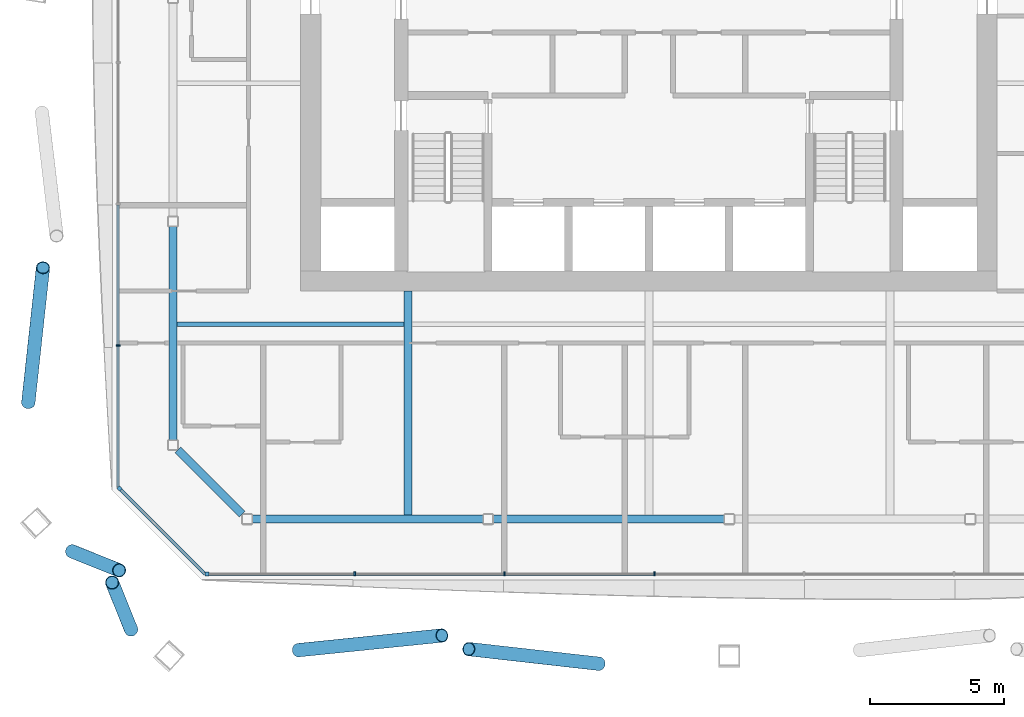
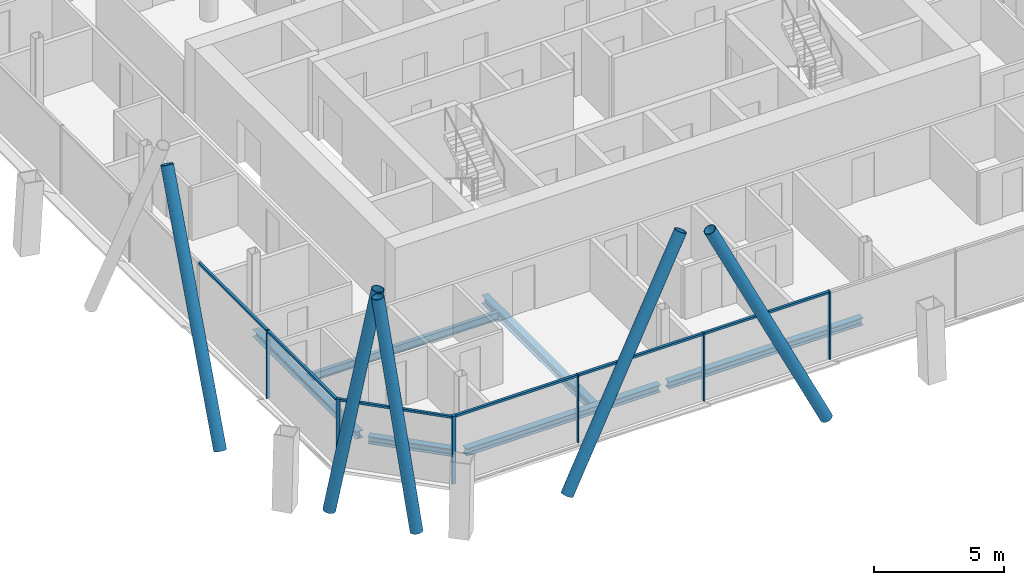
# One storey, part 3 of 23: 17 members, 6 beams, 3 elements without a shape of their own.
"""IFC4 building model written with IfcOpenShell, lengths in metres."""

from ifc_helpers import new_model, si_unit, direction, frame, origin, origin_2d, place, context, subcontext, project, spatial, rectangle, hollow_circle, i_section, extrude, material, material_profile, profile_set, type_object, element, aggregate, save


model = new_model("IFC4")

# Units and contexts
model_context = context("Model", 3, precision=1e-05, world=origin(), true_north=direction((0.0, 1.0)))
body_context = subcontext(model_context, "Body", "Model", "MODEL_VIEW")
ifc_project = project(units=[si_unit("LENGTHUNIT", "METRE"), si_unit("AREAUNIT", "SQUARE_METRE"), si_unit("VOLUMEUNIT", "CUBIC_METRE"), si_unit("PLANEANGLEUNIT", "RADIAN"), si_unit("MASSUNIT", "GRAM", prefix="KILO")], contexts=[model_context])

# Site, building, storey
site_placement = place(None, origin())
site = spatial("IfcSite", under=ifc_project, at=site_placement, CompositionType="ELEMENT")
building_placement = place(site_placement, origin())
building = spatial("IfcBuilding", under=site, at=building_placement, Name="Tskaro Facet Tower", CompositionType="ELEMENT")
storey_placement = place(building_placement, frame((0.0, 0.0, 131.699951171875)))
storey = spatial("IfcBuildingStorey", under=building, at=storey_placement, Name="L31", CompositionType="ELEMENT", Elevation=131.699951171875)

# Members
ifc_material_1 = material(Name="Steel S355J2H", Category="steel")
ifc_material_profile_1 = material_profile(ifc_material_1, hollow_circle(Radius=0.25390625, WallThickness=0.02490234375, at=origin_2d()), Name="CHS 508x25")
ifc_profile_set_1 = profile_set([ifc_material_profile_1], Name="Steel S355J2H")
member_type_1 = type_object("IfcMemberType", Name="CHS 508x25 brace", PredefinedType="BRACE", material=ifc_profile_set_1)
member_1_placement = place(storey_placement, frame((-13.088134765625, -25.665283203125, 0.0), z_axis=(0.464824097966, 0.047487606457, 0.884128658727), x_axis=(-0.101633524217, 0.994821907054, 0.0)))
element("IfcMember", 1, at=member_1_placement, inside=storey, type_object=member_type_1, Name="CHS 508x25 XB01A/3", PredefinedType="BRACE", context=body_context, shape_type="SweptSolid", body=[
    extrude(hollow_circle(Radius=0.25390625, WallThickness=0.02490234375, at=origin_2d()), origin(), (0.0, 0.0, 1.0), 11.53662109375),
])
member_2_placement = place(storey_placement, frame((-1.862548828125, -26.17333984375, 0.0), z_axis=(-0.42982031619, 0.048426810741, 0.901614851138), x_axis=(-0.111959207267, -0.993712803534, 0.0)))
element("IfcMember", 2, at=member_2_placement, inside=storey, type_object=member_type_1, Name="CHS 508x25 XB01B/3", PredefinedType="BRACE", context=body_context, shape_type="SweptSolid", body=[
    extrude(hollow_circle(Radius=0.25390625, WallThickness=0.02490234375, at=origin_2d()), origin(), (0.0, 0.0, 1.0), 11.31298828125),
])
member_3_placement = place(storey_placement, frame((-23.17333984375, -16.417236328125, 0.0), z_axis=(0.048109528617, 0.44203309315, 0.895707663145), x_axis=(-0.994129364585, 0.108197996611, 0.0)))
element("IfcMember", 3, at=member_3_placement, inside=storey, type_object=member_type_1, Name="CHS 508x25 XB11B/3", PredefinedType="BRACE", context=body_context, shape_type="SweptSolid", body=[
    extrude(hollow_circle(Radius=0.25390625, WallThickness=0.02490234375, at=origin_2d()), origin(), (0.0, 0.0, 1.0), 11.3876953125),
])
for number, where, z_axis, x_axis, name in (
    (4, (-21.533203125, -21.9775390625, 0.0), (0.169117800657, -0.068084859073, 0.983241385147), (0.373459657501, 0.927646421984, 0.0), "CHS 508x25 XB12A/3"),
    (5, (-19.3369140625, -24.892333984375, 0.0), (-0.068085130039, 0.169094939278, 0.983245298274), (-0.927628414184, -0.373504384444, 0.0), "CHS 508x25 XB12B/3"),
):
    element("IfcMember", number, at=place(storey_placement, frame(where, z_axis=z_axis, x_axis=x_axis)), inside=storey, type_object=member_type_1, Name=name, PredefinedType="BRACE", context=body_context, shape_type="SweptSolid", body=[
        extrude(hollow_circle(Radius=0.25390625, WallThickness=0.02490234375, at=origin_2d()), origin(), (0.0, 0.0, 1.0), 10.373779296875),
    ])

# Curtain wall, member
ifc_material_2 = material(Name="Bronze anodised aluminium 6063-T6", Category="aluminium")
curtain_wall_type = type_object("IfcCurtainWallType", Name="Bronze hotel curtain wall (FW2)", PredefinedType="NOTDEFINED", material=ifc_material_2)
curtain_wall_1_placement = place(storey_placement, origin())
curtain_wall_1 = element("IfcCurtainWall", 6, at=curtain_wall_1_placement, inside=storey, type_object=curtain_wall_type, Name="FW2 south facet L31", PredefinedType="NOTDEFINED")
ifc_material_profile_2 = material_profile(ifc_material_2, rectangle(XDim=0.14990234375, YDim=0.14990234375, at=origin_2d()), Name="Corner post 150x150")
ifc_profile_set_2 = profile_set([ifc_material_profile_2], Name="Bronze anodised aluminium 6063-T6")
member_type_2 = type_object("IfcMemberType", Name="FW2 bronze corner post 150x150", PredefinedType="MULLION", material=ifc_profile_set_2)
member_4_placement = place(storey_placement, frame((-16.4990234375, -22.820068359375, 0.0), z_axis=(0.0, 0.0, 1.0), x_axis=(1.0, 0.0, 0.0)))
member_4 = element("IfcMember", 7, at=member_4_placement, type_object=member_type_2, Name="FW2 south corner post", PredefinedType="MULLION", context=body_context, shape_type="SweptSolid", body=[
    extrude(rectangle(XDim=0.14990234375, YDim=0.14990234375, at=origin_2d()), origin(), (0.0, 0.0, 1.0), 3.199951171875),
])

curtain_wall_2_placement = place(storey_placement, origin())
curtain_wall_2 = element("IfcCurtainWall", 8, at=curtain_wall_2_placement, inside=storey, type_object=curtain_wall_type, Name="FW2 south-west facet L31", PredefinedType="NOTDEFINED")
member_5_placement = place(storey_placement, frame((-19.766845703125, -19.626953125, 0.0), z_axis=(0.0, 0.0, 1.0), x_axis=(0.707106781187, -0.707106781187, 0.0)))
member_5 = element("IfcMember", 9, at=member_5_placement, type_object=member_type_2, Name="FW2 south-west corner post", PredefinedType="MULLION", context=body_context, shape_type="SweptSolid", body=[
    extrude(rectangle(XDim=0.14990234375, YDim=0.14990234375, at=origin_2d()), origin(), (0.0, 0.0, 1.0), 3.199951171875),
])

# Member
ifc_material_profile_3 = material_profile(ifc_material_2, rectangle(XDim=0.06005859375, YDim=0.14990234375, at=origin_2d()), Name="Mullion 60x150")
ifc_profile_set_3 = profile_set([ifc_material_profile_3], Name="Bronze anodised aluminium 6063-T6")
member_type_3 = type_object("IfcMemberType", Name="FW2 bronze mullion 60x150", PredefinedType="MULLION", material=ifc_profile_set_3)
member_6_placement = place(storey_placement, frame((-10.9814453125, -22.820068359375, 0.0), z_axis=(0.0, 0.0, 1.0), x_axis=(1.0, 0.0, 0.0)))
member_6 = element("IfcMember", 10, at=member_6_placement, type_object=member_type_3, Name="FW2 south mullion 1", PredefinedType="MULLION", context=body_context, shape_type="SweptSolid", body=[
    extrude(rectangle(XDim=0.06005859375, YDim=0.14990234375, at=origin_2d()), origin(), (0.0, 0.0, 1.0), 3.199951171875),
])

member_7_placement = place(storey_placement, frame((-5.388916015625, -22.820068359375, 0.0), z_axis=(0.0, 0.0, 1.0), x_axis=(1.0, 0.0, 0.0)))
member_7 = element("IfcMember", 11, at=member_7_placement, type_object=member_type_3, Name="FW2 south mullion 2", PredefinedType="MULLION", context=body_context, shape_type="SweptSolid", body=[
    extrude(rectangle(XDim=0.06005859375, YDim=0.14990234375, at=origin_2d()), origin(), (0.0, 0.0, 1.0), 3.199951171875),
])

member_8_placement = place(storey_placement, frame((0.20361328125, -22.820068359375, 0.0), z_axis=(0.0, 0.0, 1.0), x_axis=(1.0, 0.0, 0.0)))
member_8 = element("IfcMember", 12, at=member_8_placement, type_object=member_type_3, Name="FW2 south mullion 3", PredefinedType="MULLION", context=body_context, shape_type="SweptSolid", body=[
    extrude(rectangle(XDim=0.06005859375, YDim=0.14990234375, at=origin_2d()), origin(), (0.0, 0.0, 1.0), 3.199951171875),
])

# Curtain wall, member
curtain_wall_3_placement = place(storey_placement, origin())
curtain_wall_3 = element("IfcCurtainWall", 13, at=curtain_wall_3_placement, inside=storey, type_object=curtain_wall_type, Name="FW2 west facet L31", PredefinedType="NOTDEFINED")
member_9_placement = place(storey_placement, frame((-19.820068359375, -14.288818359375, 0.0), z_axis=(0.0, 0.0, 1.0), x_axis=(0.0, -1.0, 0.0)))
member_9 = element("IfcMember", 14, at=member_9_placement, type_object=member_type_3, Name="FW2 west mullion 6", PredefinedType="MULLION", context=body_context, shape_type="SweptSolid", body=[
    extrude(rectangle(XDim=0.06005859375, YDim=0.14990234375, at=origin_2d()), origin(), (0.0, 0.0, 1.0), 3.199951171875),
])

# Member
ifc_material_profile_4 = material_profile(ifc_material_2, rectangle(XDim=0.110107421875, YDim=0.10009765625, at=origin_2d()), Name="Transom 110x100")
ifc_profile_set_4 = profile_set([ifc_material_profile_4], Name="Bronze anodised aluminium 6063-T6")
member_type_4 = type_object("IfcMemberType", Name="FW2 bronze transom 110x100", PredefinedType="USERDEFINED", material=ifc_profile_set_4)
member_10_placement = place(storey_placement, frame((-16.424072265625, -22.820068359375, 3.150146484375), z_axis=(1.0, 0.0, 0.0), x_axis=(0.0, 1.0, 0.0)))
member_10 = element("IfcMember", 15, at=member_10_placement, type_object=member_type_4, Name="FW2 south transom 1.1", ObjectType="TRANSOM", PredefinedType="USERDEFINED", context=body_context, shape_type="SweptSolid", body=[
    extrude(rectangle(XDim=0.110107421875, YDim=0.10009765625, at=origin_2d()), origin(), (0.0, 0.0, 1.0), 5.41259765625),
])

member_11_placement = place(storey_placement, frame((-10.951416015625, -22.820068359375, 3.150146484375), z_axis=(1.0, 0.0, 0.0), x_axis=(0.0, 1.0, 0.0)))
member_11 = element("IfcMember", 16, at=member_11_placement, type_object=member_type_4, Name="FW2 south transom 2.1", ObjectType="TRANSOM", PredefinedType="USERDEFINED", context=body_context, shape_type="SweptSolid", body=[
    extrude(rectangle(XDim=0.110107421875, YDim=0.10009765625, at=origin_2d()), origin(), (0.0, 0.0, 1.0), 5.532470703125),
])

member_12_placement = place(storey_placement, frame((-5.35888671875, -22.820068359375, 3.150146484375), z_axis=(1.0, 0.0, 0.0), x_axis=(0.0, 1.0, 0.0)))
member_12 = element("IfcMember", 17, at=member_12_placement, type_object=member_type_4, Name="FW2 south transom 3.1", ObjectType="TRANSOM", PredefinedType="USERDEFINED", context=body_context, shape_type="SweptSolid", body=[
    extrude(rectangle(XDim=0.110107421875, YDim=0.10009765625, at=origin_2d()), origin(), (0.0, 0.0, 1.0), 5.53271484375),
])

aggregate(curtain_wall_1, [member_4, member_6, member_7, member_8, member_10, member_11, member_12])

member_13_placement = place(storey_placement, frame((-19.820068359375, -9.03369140625, 3.150146484375), z_axis=(0.0, -1.0, 0.0), x_axis=(1.0, 0.0, 0.0)))
member_13 = element("IfcMember", 18, at=member_13_placement, type_object=member_type_4, Name="FW2 west transom 6.1", ObjectType="TRANSOM", PredefinedType="USERDEFINED", context=body_context, shape_type="SweptSolid", body=[
    extrude(rectangle(XDim=0.110107421875, YDim=0.10009765625, at=origin_2d()), origin(), (0.0, 0.0, 1.0), 5.22509765625),
])

member_14_placement = place(storey_placement, frame((-19.820068359375, -14.31884765625, 3.150146484375), z_axis=(0.0, -1.0, 0.0), x_axis=(1.0, 0.0, 0.0)))
member_14 = element("IfcMember", 19, at=member_14_placement, type_object=member_type_4, Name="FW2 west transom 7.1", ObjectType="TRANSOM", PredefinedType="USERDEFINED", context=body_context, shape_type="SweptSolid", body=[
    extrude(rectangle(XDim=0.110107421875, YDim=0.10009765625, at=origin_2d()), origin(), (0.0, 0.0, 1.0), 5.255126953125),
])

aggregate(curtain_wall_3, [member_9, member_13, member_14])

member_15_placement = place(storey_placement, frame((-19.7138671875, -19.68017578125, 3.150146484375), z_axis=(0.707106781187, -0.707106781187, 0.0), x_axis=(0.707106781187, 0.707106781187, 0.0)))
member_15 = element("IfcMember", 20, at=member_15_placement, type_object=member_type_4, Name="FW2 south-west transom 1.1", ObjectType="TRANSOM", PredefinedType="USERDEFINED", context=body_context, shape_type="SweptSolid", body=[
    extrude(rectangle(XDim=0.110107421875, YDim=0.10009765625, at=origin_2d()), origin(), (0.0, 0.0, 1.0), 4.4404296875),
])

aggregate(curtain_wall_2, [member_5, member_15])

# Beams
ifc_material_3 = material(Name="Steel S355J2", Category="steel")
ifc_material_profile_5 = material_profile(ifc_material_3, i_section(OverallWidth=0.300048828125, OverallDepth=0.340087890625, WebThickness=0.011962890625, FlangeThickness=0.021484375, FilletRadius=0.027099609375, at=origin_2d()), Name="HE 340 B")
ifc_profile_set_5 = profile_set([ifc_material_profile_5], Name="Steel S355J2")
beam_type_1 = type_object("IfcBeamType", Name="HE 340 B ring beam", PredefinedType="BEAM", material=ifc_profile_set_5)
beam_1_placement = place(storey_placement, frame((-14.819091796875, -20.77392578125, -0.31005859375), z_axis=(1.0, 0.0, 0.0), x_axis=(0.0, 1.0, 0.0)))
element("IfcBeam", 21, at=beam_1_placement, inside=storey, type_object=beam_type_1, Name="HE 340 B EB1-3", PredefinedType="BEAM", context=body_context, shape_type="SweptSolid", body=[
    extrude(i_section(OverallWidth=0.300048828125, OverallDepth=0.340087890625, WebThickness=0.011962890625, FlangeThickness=0.021484375, FilletRadius=0.027099609375, at=origin_2d()), origin(), (0.0, 0.0, 1.0), 8.63916015625),
])
beam_2_placement = place(storey_placement, frame((-5.820068359375, -20.77392578125, -0.31005859375), z_axis=(1.0, 0.0, 0.0), x_axis=(0.0, 1.0, 0.0)))
element("IfcBeam", 22, at=beam_2_placement, inside=storey, type_object=beam_type_1, Name="HE 340 B EB2-3", PredefinedType="BEAM", context=body_context, shape_type="SweptSolid", body=[
    extrude(i_section(OverallWidth=0.300048828125, OverallDepth=0.340087890625, WebThickness=0.011962890625, FlangeThickness=0.021484375, FilletRadius=0.027099609375, at=origin_2d()), origin(), (0.0, 0.0, 1.0), 8.64013671875),
])
beam_3_placement = place(storey_placement, frame((-17.77392578125, -9.8369140625, -0.31005859375), z_axis=(0.0, -1.0, 0.0), x_axis=(1.0, 0.0, 0.0)))
element("IfcBeam", 23, at=beam_3_placement, inside=storey, type_object=beam_type_1, Name="HE 340 B EB19-3", PredefinedType="BEAM", context=body_context, shape_type="SweptSolid", body=[
    extrude(i_section(OverallWidth=0.300048828125, OverallDepth=0.340087890625, WebThickness=0.011962890625, FlangeThickness=0.021484375, FilletRadius=0.027099609375, at=origin_2d()), origin(), (0.0, 0.0, 1.0), 7.982177734375),
])
beam_4_placement = place(storey_placement, frame((-17.588134765625, -18.184814453125, -0.31005859375), z_axis=(0.707106781187, -0.707106781187, 0.0), x_axis=(0.707106781187, 0.707106781187, 0.0)))
element("IfcBeam", 24, at=beam_4_placement, inside=storey, type_object=beam_type_1, Name="HE 340 B EB20-3", PredefinedType="BEAM", context=body_context, shape_type="SweptSolid", body=[
    extrude(i_section(OverallWidth=0.300048828125, OverallDepth=0.340087890625, WebThickness=0.011962890625, FlangeThickness=0.021484375, FilletRadius=0.027099609375, at=origin_2d()), origin(), (0.0, 0.0, 1.0), 3.39892578125),
])
ifc_material_profile_6 = material_profile(ifc_material_3, i_section(OverallWidth=0.300048828125, OverallDepth=0.389892578125, WebThickness=0.010986328125, FlangeThickness=0.01904296875, FilletRadius=0.027099609375, at=origin_2d()), Name="HE 400 A")
ifc_profile_set_6 = profile_set([ifc_material_profile_6], Name="Steel S355J2")
beam_type_2 = type_object("IfcBeamType", Name="HE 400 A girder", PredefinedType="BEAM", material=ifc_profile_set_6)
beam_5_placement = place(storey_placement, frame((-9.0, -20.6240234375, -0.3349609375), z_axis=(0.0, 1.0, 0.0), x_axis=(-1.0, 0.0, 0.0)))
element("IfcBeam", 25, at=beam_5_placement, inside=storey, type_object=beam_type_2, Name="HE 400 A GB3-1-3", PredefinedType="BEAM", context=body_context, shape_type="SweptSolid", body=[
    extrude(i_section(OverallWidth=0.300048828125, OverallDepth=0.389892578125, WebThickness=0.010986328125, FlangeThickness=0.01904296875, FilletRadius=0.027099609375, at=origin_2d()), origin(), (0.0, 0.0, 1.0), 8.3740234375),
])
ifc_material_profile_7 = material_profile(ifc_material_3, i_section(OverallWidth=0.169921875, OverallDepth=0.360107421875, WebThickness=0.008056640625, FlangeThickness=0.0126953125, FilletRadius=0.01806640625, at=origin_2d()), Name="IPE 360")
ifc_profile_set_7 = profile_set([ifc_material_profile_7], Name="Steel S355J2")
beam_type_3 = type_object("IfcBeamType", Name="IPE 360 secondary beam", PredefinedType="BEAM", material=ifc_profile_set_7)
beam_6_placement = place(storey_placement, frame((-17.6240234375, -13.5, -0.320068359375), z_axis=(1.0, 0.0, 0.0), x_axis=(0.0, 1.0, 0.0)))
element("IfcBeam", 26, at=beam_6_placement, inside=storey, type_object=beam_type_3, Name="IPE 360 SB2a-1-3", PredefinedType="BEAM", context=body_context, shape_type="SweptSolid", body=[
    extrude(i_section(OverallWidth=0.169921875, OverallDepth=0.360107421875, WebThickness=0.008056640625, FlangeThickness=0.0126953125, FilletRadius=0.01806640625, at=origin_2d()), origin(), (0.0, 0.0, 1.0), 8.47412109375),
])

save(model, "model.ifc")
